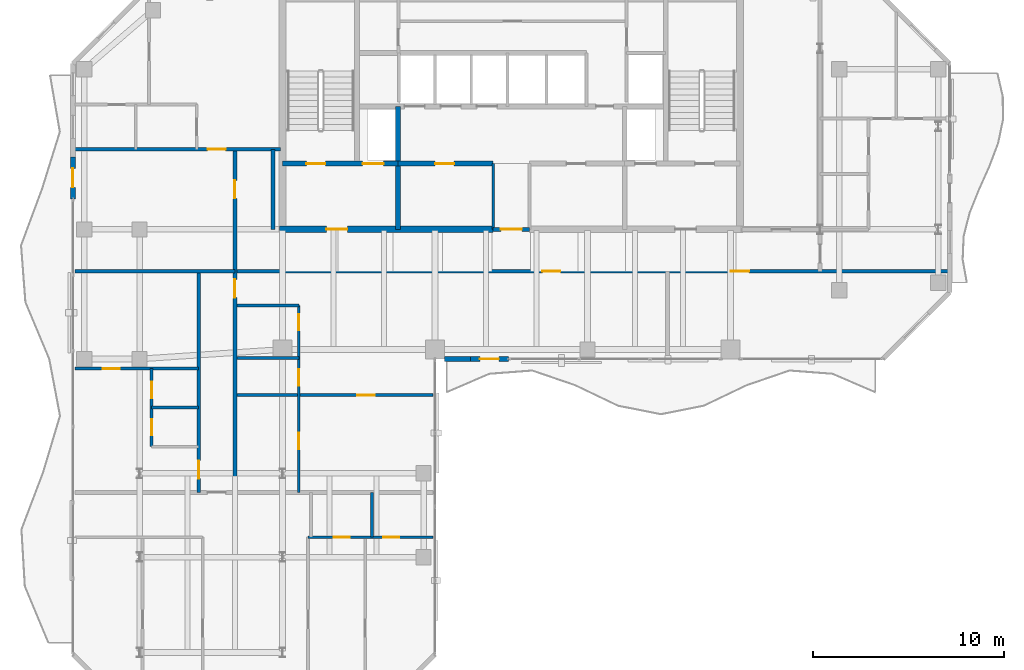
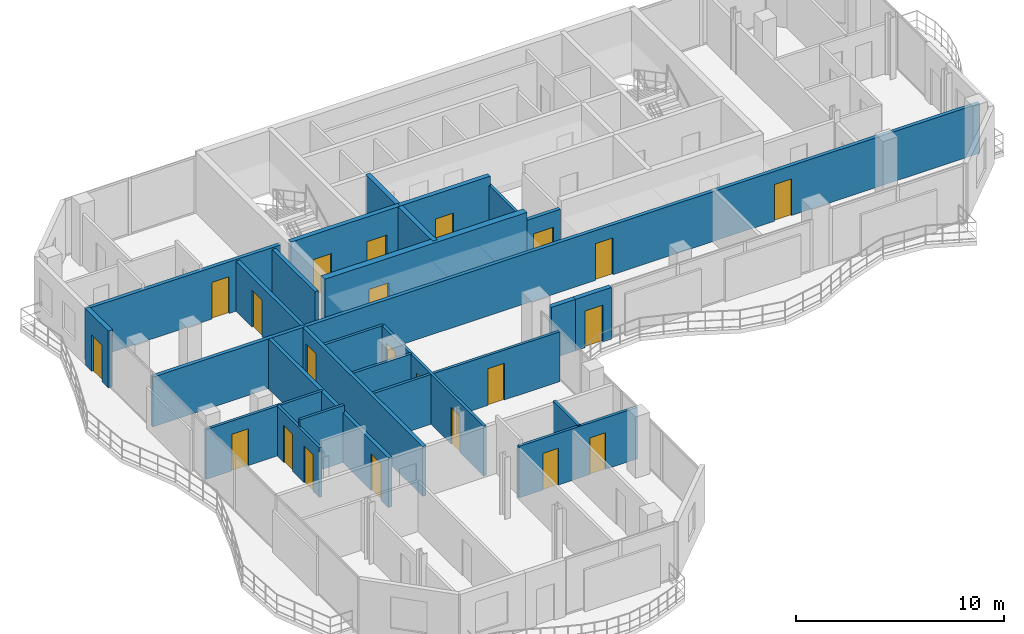
# One storey, part 18 of 23: 24 walls, 22 doors, 22 openings.
"""IFC4 building model written with IfcOpenShell, lengths in metres."""

from ifc_helpers import new_model, si_unit, direction, frame, frame_2d, origin, place, context, subcontext, project, spatial, rectangle, extrude, material, layer, layer_set, type_object, element, fill, save


model = new_model("IFC4")

# Units and contexts
model_context = context("Model", 3, precision=1e-05, world=origin(), true_north=direction((0.0, 1.0)))
body_context = subcontext(model_context, "Body", "Model", "MODEL_VIEW")
ifc_project = project(units=[si_unit("LENGTHUNIT", "METRE"), si_unit("AREAUNIT", "SQUARE_METRE"), si_unit("VOLUMEUNIT", "CUBIC_METRE"), si_unit("PLANEANGLEUNIT", "RADIAN"), si_unit("MASSUNIT", "GRAM", prefix="KILO")], contexts=[model_context])

# Site, building, storey
site_placement = place(None, origin())
site = spatial("IfcSite", under=ifc_project, at=site_placement, CompositionType="ELEMENT")
building_placement = place(site_placement, origin())
building = spatial("IfcBuilding", under=site, at=building_placement, Name="Catumbela Crestline Tower", CompositionType="ELEMENT")
storey_placement = place(building_placement, frame((0.0, 0.0, 172.2)))
storey = spatial("IfcBuildingStorey", under=building, at=storey_placement, Name="L44", CompositionType="ELEMENT", Elevation=172.2)

# Wall
ifc_material_1 = material(Name="Concrete C50/60", Category="concrete")
ifc_layer_1 = layer(ifc_material_1, 0.25, Name="Concrete C50/60")
ifc_layer_set_1 = layer_set([ifc_layer_1], Name="Concrete C50/60")
wall_type_1 = type_object("IfcWallType", Name="CW-250D", PredefinedType="SHEAR", material=ifc_layer_set_1)
wall_1_placement = place(storey_placement, frame((22.05, 30.8, 0.0), z_axis=(0.0, 0.0, 1.0), x_axis=(0.0, 1.0, 0.0)))
element("IfcWall", 1, at=wall_1_placement, inside=storey, type_object=wall_type_1, Name="L44 Structural Core Shear Wall FFW", PredefinedType="SHEAR", context=body_context, shape_type="SweptSolid", body=[
    extrude(rectangle(XDim=6.45, YDim=0.25, at=frame_2d((3.225, 0.0))), origin(), (0.0, 0.0, 1.0), 3.6),
])

# Wall, openings, doors
wall_2_placement = place(storey_placement, frame((16.0, 34.25, 0.0), z_axis=(0.0, 0.0, 1.0), x_axis=(1.0, 0.0, 0.0)))
wall_2 = element("IfcWall", 2, at=wall_2_placement, inside=storey, type_object=wall_type_1, Name="L44 Structural Core Shear Wall ST1S", PredefinedType="SHEAR", context=body_context, shape_type="SweptSolid", body=[
    extrude(rectangle(XDim=6.05, YDim=0.25, at=frame_2d((3.025, 0.0))), origin(), (0.0, 0.0, 1.0), 3.6),
])
opening_1_placement = place(wall_2_placement, frame((1.25, 0.0, 0.0)))
opening_1 = element("IfcOpeningElement", 3, at=opening_1_placement, cuts=wall_2, Name="Opening DF9-100", PredefinedType="OPENING", context=body_context, shape_type="SweptSolid", body=[
    extrude(rectangle(XDim=1.0, YDim=2.15, at=frame_2d((0.5, 1.075))), frame((0.0, 0.135, 0.0), z_axis=(0.0, -1.0, 0.0), x_axis=(1.0, 0.0, 0.0)), (0.0, 0.0, 1.0), 0.27),
])
opening_2_placement = place(wall_2_placement, frame((4.2, 0.0, 0.0)))
opening_2 = element("IfcOpeningElement", 4, at=opening_2_placement, cuts=wall_2, Name="Opening LD-110", PredefinedType="OPENING", context=body_context, shape_type="SweptSolid", body=[
    extrude(rectangle(XDim=1.1, YDim=2.15, at=frame_2d((0.55, 1.075))), frame((0.0, 0.135, 0.0), z_axis=(0.0, -1.0, 0.0), x_axis=(1.0, 0.0, 0.0)), (0.0, 0.0, 1.0), 0.27),
])
ifc_material_2 = material(Name="Stainless steel EN 1.4401", Category="steel")
door_type_1 = type_object("IfcDoorType", Name="DF9-100", OperationType="NOTDEFINED", PredefinedType="DOOR", material=ifc_material_2)
door_1_placement = place(opening_1_placement, origin())
door_1 = element("IfcDoor", 5, at=door_1_placement, inside=storey, type_object=door_type_1, Name="L44 Interior Door DR-L44-ST01", OperationType="SINGLE_SWING_LEFT", OverallHeight=2.15, OverallWidth=1.0, PredefinedType="DOOR", context=body_context, shape_type="SweptSolid", body=[
    extrude(rectangle(XDim=1.0, YDim=2.15, at=frame_2d((0.5, 1.075))), frame((0.0, 0.025, 0.0), z_axis=(0.0, -1.0, 0.0), x_axis=(1.0, 0.0, 0.0)), (0.0, 0.0, 1.0), 0.05),
])
fill(opening_1, door_1)
door_type_2 = type_object("IfcDoorType", Name="LD-110", OperationType="NOTDEFINED", PredefinedType="DOOR", material=ifc_material_2)
door_2_placement = place(opening_2_placement, origin())
door_2 = element("IfcDoor", 6, at=door_2_placement, inside=storey, type_object=door_type_2, Name="L44 Lift Landing Sliding Door FL-01", OperationType="DOUBLE_DOOR_SLIDING", OverallHeight=2.15, OverallWidth=1.1, PredefinedType="DOOR", context=body_context, shape_type="SweptSolid", body=[
    extrude(rectangle(XDim=1.1, YDim=2.15, at=frame_2d((0.55, 1.075))), frame((0.0, 0.025, 0.0), z_axis=(0.0, -1.0, 0.0), x_axis=(1.0, 0.0, 0.0)), (0.0, 0.0, 1.0), 0.05),
])
fill(opening_2, door_2)

# Wall, opening, door
wall_3_placement = place(storey_placement, frame((22.05, 34.25, 0.0), z_axis=(0.0, 0.0, 1.0), x_axis=(1.0, 0.0, 0.0)))
wall_3 = element("IfcWall", 7, at=wall_3_placement, inside=storey, type_object=wall_type_1, Name="L44 Structural Core Shear Wall LIFTS-W", PredefinedType="SHEAR", context=body_context, shape_type="SweptSolid", body=[
    extrude(rectangle(XDim=5.0, YDim=0.25, at=frame_2d((2.5, 0.0))), origin(), (0.0, 0.0, 1.0), 3.6),
])
opening_3_placement = place(wall_3_placement, frame((1.95, 0.0, 0.0)))
opening_3 = element("IfcOpeningElement", 8, at=opening_3_placement, cuts=wall_3, Name="Opening DF9-100", PredefinedType="OPENING", context=body_context, shape_type="SweptSolid", body=[
    extrude(rectangle(XDim=1.0, YDim=2.15, at=frame_2d((0.5, 1.075))), frame((0.0, 0.135, 0.0), z_axis=(0.0, -1.0, 0.0), x_axis=(1.0, 0.0, 0.0)), (0.0, 0.0, 1.0), 0.27),
])
door_3_placement = place(opening_3_placement, origin())
door_3 = element("IfcDoor", 9, at=door_3_placement, inside=storey, type_object=door_type_1, Name="L44 Interior Door DR-L44-RECL1", OperationType="SINGLE_SWING_LEFT", OverallHeight=2.15, OverallWidth=1.0, PredefinedType="DOOR", context=body_context, shape_type="SweptSolid", body=[
    extrude(rectangle(XDim=1.0, YDim=2.15, at=frame_2d((0.5, 1.075))), frame((0.0, 0.025, 0.0), z_axis=(0.0, -1.0, 0.0), x_axis=(1.0, 0.0, 0.0)), (0.0, 0.0, 1.0), 0.05),
])
fill(opening_3, door_3)

ifc_layer_2 = layer(ifc_material_1, 0.35, Name="Concrete C50/60")
ifc_layer_set_2 = layer_set([ifc_layer_2], Name="Concrete C50/60")
wall_type_2 = type_object("IfcWallType", Name="CW-350B", PredefinedType="SHEAR", material=ifc_layer_set_2)
wall_4_placement = place(storey_placement, frame((15.85, 30.8, 0.0), z_axis=(0.0, 0.0, 1.0), x_axis=(1.0, 0.0, 0.0)))
wall_4 = element("IfcWall", 10, at=wall_4_placement, inside=storey, type_object=wall_type_2, Name="L44 Structural Core Shear Wall SW", PredefinedType="SHEAR", context=body_context, shape_type="SweptSolid", body=[
    extrude(rectangle(XDim=11.2, YDim=0.35, at=frame_2d((5.6, 0.0))), origin(), (0.0, 0.0, 1.0), 3.6),
])
opening_4_placement = place(wall_4_placement, frame((2.45, 0.0, 0.0)))
opening_4 = element("IfcOpeningElement", 11, at=opening_4_placement, cuts=wall_4, Name="Opening DF9-110", PredefinedType="OPENING", context=body_context, shape_type="SweptSolid", body=[
    extrude(rectangle(XDim=1.1, YDim=2.15, at=frame_2d((0.55, 1.075))), frame((0.0, 0.185, 0.0), z_axis=(0.0, -1.0, 0.0), x_axis=(1.0, 0.0, 0.0)), (0.0, 0.0, 1.0), 0.37),
])
door_type_3 = type_object("IfcDoorType", Name="DF9-110", OperationType="NOTDEFINED", PredefinedType="DOOR", material=ifc_material_2)
door_4_placement = place(opening_4_placement, origin())
door_4 = element("IfcDoor", 12, at=door_4_placement, inside=storey, type_object=door_type_3, Name="L44 Interior Door DR-L44-FFW-S", OperationType="SINGLE_SWING_LEFT", OverallHeight=2.15, OverallWidth=1.1, PredefinedType="DOOR", context=body_context, shape_type="SweptSolid", body=[
    extrude(rectangle(XDim=1.1, YDim=2.15, at=frame_2d((0.55, 1.075))), frame((0.0, 0.025, 0.0), z_axis=(0.0, -1.0, 0.0), x_axis=(1.0, 0.0, 0.0)), (0.0, 0.0, 1.0), 0.05),
])
fill(opening_4, door_4)

ifc_material_3 = material(Name="Acoustic gypsum and mineral-wool partition")
ifc_layer_3 = layer(ifc_material_3, 0.2, Name="Acoustic gypsum and mineral-wool partition")
ifc_layer_set_3 = layer_set([ifc_layer_3], Name="Acoustic gypsum and mineral-wool partition")
wall_type_3 = type_object("IfcWallType", Name="WC-200", PredefinedType="PARTITIONING", material=ifc_layer_set_3)
wall_5_placement = place(storey_placement, frame((27.05, 30.8, 0.0), z_axis=(0.0, 0.0, 1.0), x_axis=(1.0, 0.0, 0.0)))
wall_5 = element("IfcWall", 13, at=wall_5_placement, inside=storey, type_object=wall_type_3, Name="L44 Interior Partition PW-L44-CLOBS", PredefinedType="PARTITIONING", context=body_context, shape_type="SweptSolid", body=[
    extrude(rectangle(XDim=1.9, YDim=0.2, at=frame_2d((0.95, 0.0))), origin(), (0.0, 0.0, 1.0), 3.07),
])
opening_5_placement = place(wall_5_placement, frame((0.4, 0.0, 0.0)))
opening_5 = element("IfcOpeningElement", 14, at=opening_5_placement, cuts=wall_5, Name="Opening DF9-110", PredefinedType="OPENING", context=body_context, shape_type="SweptSolid", body=[
    extrude(rectangle(XDim=1.1, YDim=2.15, at=frame_2d((0.55, 1.075))), frame((0.0, 0.11, 0.0), z_axis=(0.0, -1.0, 0.0), x_axis=(1.0, 0.0, 0.0)), (0.0, 0.0, 1.0), 0.22),
])
door_5_placement = place(opening_5_placement, origin())
door_5 = element("IfcDoor", 15, at=door_5_placement, inside=storey, type_object=door_type_3, Name="L44 Interior Door DR-L44-CLOBS", OperationType="SINGLE_SWING_LEFT", OverallHeight=2.15, OverallWidth=1.1, PredefinedType="DOOR", context=body_context, shape_type="SweptSolid", body=[
    extrude(rectangle(XDim=1.1, YDim=2.15, at=frame_2d((0.55, 1.075))), frame((0.0, 0.025, 0.0), z_axis=(0.0, -1.0, 0.0), x_axis=(1.0, 0.0, 0.0)), (0.0, 0.0, 1.0), 0.05),
])
fill(opening_5, door_5)

# Wall, openings, doors
wall_6_placement = place(storey_placement, frame((13.6, 28.6, 0.0), z_axis=(0.0, 0.0, 1.0), x_axis=(1.0, 0.0, 0.0)))
wall_6 = element("IfcWall", 16, at=wall_6_placement, inside=storey, type_object=wall_type_3, Name="L44 Interior Partition PW-L44-RCWR", PredefinedType="PARTITIONING", context=body_context, shape_type="SweptSolid", body=[
    extrude(rectangle(XDim=37.3, YDim=0.2, at=frame_2d((18.65, 0.0))), origin(), (0.0, 0.0, 1.0), 2.92),
])
opening_6_placement = place(wall_6_placement, frame((16.025, 0.0, 0.0)))
opening_6 = element("IfcOpeningElement", 17, at=opening_6_placement, cuts=wall_6, Name="Opening DF6-095", PredefinedType="OPENING", context=body_context, shape_type="SweptSolid", body=[
    extrude(rectangle(XDim=0.95, YDim=2.15, at=frame_2d((0.475, 1.075))), frame((0.0, 0.11, 0.0), z_axis=(0.0, -1.0, 0.0), x_axis=(1.0, 0.0, 0.0)), (0.0, 0.0, 1.0), 0.22),
])
opening_7_placement = place(wall_6_placement, frame((25.925, 0.0, 0.0)))
opening_7 = element("IfcOpeningElement", 18, at=opening_7_placement, cuts=wall_6, Name="Opening DF6-095", PredefinedType="OPENING", context=body_context, shape_type="SweptSolid", body=[
    extrude(rectangle(XDim=0.95, YDim=2.15, at=frame_2d((0.475, 1.075))), frame((0.0, 0.11, 0.0), z_axis=(0.0, -1.0, 0.0), x_axis=(1.0, 0.0, 0.0)), (0.0, 0.0, 1.0), 0.22),
])
ifc_material_4 = material(Name="Aluminium alloy AW-6060-T66", Category="aluminium")
door_type_4 = type_object("IfcDoorType", Name="DF6-095", OperationType="NOTDEFINED", PredefinedType="DOOR", material=ifc_material_4)
door_6_placement = place(opening_6_placement, origin())
door_6 = element("IfcDoor", 19, at=door_6_placement, inside=storey, type_object=door_type_4, Name="L44 Interior Door DR-L44-Z3G11-ENT", OperationType="SINGLE_SWING_LEFT", OverallHeight=2.15, OverallWidth=0.95, PredefinedType="DOOR", context=body_context, shape_type="SweptSolid", body=[
    extrude(rectangle(XDim=0.95, YDim=2.15, at=frame_2d((0.475, 1.075))), frame((0.0, 0.025, 0.0), z_axis=(0.0, -1.0, 0.0), x_axis=(1.0, 0.0, 0.0)), (0.0, 0.0, 1.0), 0.05),
])
fill(opening_6, door_6)
door_7_placement = place(opening_7_placement, origin())
door_7 = element("IfcDoor", 20, at=door_7_placement, inside=storey, type_object=door_type_4, Name="L44 Interior Door DR-L44-Z3G12-ENT", OperationType="SINGLE_SWING_RIGHT", OverallHeight=2.15, OverallWidth=0.95, PredefinedType="DOOR", context=body_context, shape_type="SweptSolid", body=[
    extrude(rectangle(XDim=0.95, YDim=2.15, at=frame_2d((0.475, 1.075))), frame((0.0, 0.025, 0.0), z_axis=(0.0, -1.0, 0.0), x_axis=(1.0, 0.0, 0.0)), (0.0, 0.0, 1.0), 0.05),
])
fill(opening_7, door_7)

# Wall
wall_7_placement = place(storey_placement, frame((15.5, 30.8, 0.0), z_axis=(0.0, 0.0, 1.0), x_axis=(0.0, 1.0, 0.0)))
element("IfcWall", 21, at=wall_7_placement, inside=storey, type_object=wall_type_3, Name="L44 Interior Partition PW-L44-NWFYE", PredefinedType="PARTITIONING", context=body_context, shape_type="SweptSolid", body=[
    extrude(rectangle(XDim=4.2, YDim=0.2, at=frame_2d((2.1, 0.0))), origin(), (0.0, 0.0, 1.0), 2.92),
])

# Wall, openings, doors
wall_8_placement = place(storey_placement, frame((13.5, 17.0, 0.0), z_axis=(0.0, 0.0, 1.0), x_axis=(0.0, 1.0, 0.0)))
wall_8 = element("IfcWall", 22, at=wall_8_placement, inside=storey, type_object=wall_type_3, Name="L44 Interior Partition PW-L44-NWAM-ENT", PredefinedType="PARTITIONING", context=body_context, shape_type="SweptSolid", body=[
    extrude(rectangle(XDim=18.0, YDim=0.2, at=frame_2d((9.0, 0.0))), origin(), (0.0, 0.0, 1.0), 2.92),
])
opening_8_placement = place(wall_8_placement, frame((15.425, 0.0, 0.0)))
opening_8 = element("IfcOpeningElement", 23, at=opening_8_placement, cuts=wall_8, Name="Opening DF6-095", PredefinedType="OPENING", context=body_context, shape_type="SweptSolid", body=[
    extrude(rectangle(XDim=0.95, YDim=2.15, at=frame_2d((0.475, 1.075))), frame((0.0, 0.11, 0.0), z_axis=(0.0, -1.0, 0.0), x_axis=(1.0, 0.0, 0.0)), (0.0, 0.0, 1.0), 0.22),
])
opening_9_placement = place(wall_8_placement, frame((10.225, 0.0, 0.0)))
opening_9 = element("IfcOpeningElement", 24, at=opening_9_placement, cuts=wall_8, Name="Opening DF6-095", PredefinedType="OPENING", context=body_context, shape_type="SweptSolid", body=[
    extrude(rectangle(XDim=0.95, YDim=2.15, at=frame_2d((0.475, 1.075))), frame((0.0, 0.11, 0.0), z_axis=(0.0, -1.0, 0.0), x_axis=(1.0, 0.0, 0.0)), (0.0, 0.0, 1.0), 0.22),
])
door_8_placement = place(opening_8_placement, origin())
door_8 = element("IfcDoor", 25, at=door_8_placement, inside=storey, type_object=door_type_4, Name="L44 Interior Door DR-L44-NWAM-ENT", OperationType="SINGLE_SWING_RIGHT", OverallHeight=2.15, OverallWidth=0.95, PredefinedType="DOOR", context=body_context, shape_type="SweptSolid", body=[
    extrude(rectangle(XDim=0.95, YDim=2.15, at=frame_2d((0.475, 1.075))), frame((0.0, 0.025, 0.0), z_axis=(0.0, -1.0, 0.0), x_axis=(1.0, 0.0, 0.0)), (0.0, 0.0, 1.0), 0.05),
])
fill(opening_8, door_8)
door_9_placement = place(opening_9_placement, origin())
door_9 = element("IfcDoor", 26, at=door_9_placement, inside=storey, type_object=door_type_4, Name="L44 Interior Door DR-L44-WR1-ENT", OperationType="SINGLE_SWING_LEFT", OverallHeight=2.15, OverallWidth=0.95, PredefinedType="DOOR", context=body_context, shape_type="SweptSolid", body=[
    extrude(rectangle(XDim=0.95, YDim=2.15, at=frame_2d((0.475, 1.075))), frame((0.0, 0.025, 0.0), z_axis=(0.0, -1.0, 0.0), x_axis=(1.0, 0.0, 0.0)), (0.0, 0.0, 1.0), 0.05),
])
fill(opening_9, door_9)

# Wall, opening, door
wall_9_placement = place(storey_placement, frame((5.1, 35.0, 0.0), z_axis=(0.0, 0.0, 1.0), x_axis=(1.0, 0.0, 0.0)))
wall_9 = element("IfcWall", 27, at=wall_9_placement, inside=storey, type_object=wall_type_3, Name="L44 Interior Partition PW-L44-NW1-ENT", PredefinedType="PARTITIONING", context=body_context, shape_type="SweptSolid", body=[
    extrude(rectangle(XDim=10.8, YDim=0.2, at=frame_2d((5.4, 0.0))), origin(), (0.0, 0.0, 1.0), 3.02),
])
opening_10_placement = place(wall_9_placement, frame((6.9644, 0.0, 0.0)))
opening_10 = element("IfcOpeningElement", 28, at=opening_10_placement, cuts=wall_9, Name="Opening DF6-095", PredefinedType="OPENING", context=body_context, shape_type="SweptSolid", body=[
    extrude(rectangle(XDim=0.95, YDim=2.15, at=frame_2d((0.475, 1.075))), frame((0.0, 0.11, 0.0), z_axis=(0.0, -1.0, 0.0), x_axis=(1.0, 0.0, 0.0)), (0.0, 0.0, 1.0), 0.22),
])
door_10_placement = place(opening_10_placement, origin())
door_10 = element("IfcDoor", 29, at=door_10_placement, inside=storey, type_object=door_type_4, Name="L44 Interior Door DR-L44-NW1-ENT", OperationType="SINGLE_SWING_LEFT", OverallHeight=2.15, OverallWidth=0.95, PredefinedType="DOOR", context=body_context, shape_type="SweptSolid", body=[
    extrude(rectangle(XDim=0.95, YDim=2.15, at=frame_2d((0.475, 1.075))), frame((0.0, 0.025, 0.0), z_axis=(0.0, -1.0, 0.0), x_axis=(1.0, 0.0, 0.0)), (0.0, 0.0, 1.0), 0.05),
])
fill(opening_10, door_10)

wall_10_placement = place(storey_placement, frame((11.6, 17.0, 0.0), z_axis=(0.0, 0.0, 1.0), x_axis=(0.0, 1.0, 0.0)))
wall_10 = element("IfcWall", 30, at=wall_10_placement, inside=storey, type_object=wall_type_3, Name="L44 Interior Partition PW-L44-WL1-ENT", PredefinedType="PARTITIONING", context=body_context, shape_type="SweptSolid", body=[
    extrude(rectangle(XDim=11.6, YDim=0.2, at=frame_2d((5.8, 0.0))), origin(), (0.0, 0.0, 1.0), 2.92),
])
opening_11_placement = place(wall_10_placement, frame((0.723, 0.0, 0.0)))
opening_11 = element("IfcOpeningElement", 31, at=opening_11_placement, cuts=wall_10, Name="Opening DF6-095", PredefinedType="OPENING", context=body_context, shape_type="SweptSolid", body=[
    extrude(rectangle(XDim=0.95, YDim=2.15, at=frame_2d((0.475, 1.075))), frame((0.0, 0.11, 0.0), z_axis=(0.0, -1.0, 0.0), x_axis=(1.0, 0.0, 0.0)), (0.0, 0.0, 1.0), 0.22),
])
door_11_placement = place(opening_11_placement, origin())
door_11 = element("IfcDoor", 32, at=door_11_placement, inside=storey, type_object=door_type_4, Name="L44 Interior Door DR-L44-WL1-ENT", OperationType="SINGLE_SWING_LEFT", OverallHeight=2.15, OverallWidth=0.95, PredefinedType="DOOR", context=body_context, shape_type="SweptSolid", body=[
    extrude(rectangle(XDim=0.95, YDim=2.15, at=frame_2d((0.475, 1.075))), frame((0.0, 0.025, 0.0), z_axis=(0.0, -1.0, 0.0), x_axis=(1.0, 0.0, 0.0)), (0.0, 0.0, 1.0), 0.05),
])
fill(opening_11, door_11)

ifc_material_5 = material(Name="Angolan grey-ochre granite", Category="masonry")
ifc_layer_4 = layer(ifc_material_5, 0.25, Name="Angolan grey-ochre granite")
ifc_layer_set_4 = layer_set([ifc_layer_4], Name="Angolan grey-ochre granite")
wall_type_4 = type_object("IfcWallType", Name="WE-250", PredefinedType="STANDARD", material=ifc_layer_set_4)
wall_11_placement = place(storey_placement, frame((25.85, 24.0, 0.0), z_axis=(0.0, 0.0, 1.0), x_axis=(1.0, 0.0, 0.0)))
wall_11 = element("IfcWall", 33, at=wall_11_placement, inside=storey, type_object=wall_type_4, Name="L44 Exterior Threshold Portal Wall DR-L44-WBAL-1", PredefinedType="STANDARD", context=body_context, shape_type="SweptSolid", body=[
    extrude(rectangle(XDim=2.0, YDim=0.25, at=frame_2d((1.0, 0.0))), origin(), (0.0, 0.0, 1.0), 3.02),
])
opening_12_placement = place(wall_11_placement, frame((0.5, 0.0, 0.0)))
opening_12 = element("IfcOpeningElement", 34, at=opening_12_placement, cuts=wall_11, Name="Opening DB-L44-1", PredefinedType="OPENING", context=body_context, shape_type="SweptSolid", body=[
    extrude(rectangle(XDim=1.0, YDim=2.15, at=frame_2d((0.5, 1.075))), frame((0.0, 0.135, 0.0), z_axis=(0.0, -1.0, 0.0), x_axis=(1.0, 0.0, 0.0)), (0.0, 0.0, 1.0), 0.27),
])
door_type_5 = type_object("IfcDoorType", Name="DB-1000", OperationType="NOTDEFINED", PredefinedType="DOOR", material=ifc_material_4)
door_12_placement = place(opening_12_placement, origin())
door_12 = element("IfcDoor", 35, at=door_12_placement, inside=storey, type_object=door_type_5, Name="L44 Wave Balcony Terrace Door 1", OperationType="SINGLE_SWING_RIGHT", OverallHeight=2.15, OverallWidth=1.0, PredefinedType="DOOR", context=body_context, shape_type="SweptSolid", body=[
    extrude(rectangle(XDim=1.0, YDim=2.15, at=frame_2d((0.5, 1.075))), frame((0.0, 0.025, 0.0), z_axis=(0.0, -1.0, 0.0), x_axis=(1.0, 0.0, 0.0)), (0.0, 0.0, 1.0), 0.05),
])
fill(opening_12, door_12)

# Wall
wall_12_placement = place(storey_placement, frame((24.5, 24.0, 0.0), z_axis=(0.0, 0.0, 1.0), x_axis=(1.0, 0.0, 0.0)))
element("IfcWall", 36, at=wall_12_placement, inside=storey, type_object=wall_type_4, Name="L44 Granite Punched Window Wall 3-1", PredefinedType="STANDARD", context=body_context, shape_type="SweptSolid", body=[
    extrude(rectangle(XDim=1.35, YDim=0.25, at=frame_2d((0.675, 0.0))), origin(), (0.0, 0.0, 1.0), 3.02),
])

# Wall, opening, door
wall_13_placement = place(storey_placement, frame((5.0, 34.6, 0.0), z_axis=(0.0, 0.0, 1.0), x_axis=(0.0, -1.0, 0.0)))
wall_13 = element("IfcWall", 37, at=wall_13_placement, inside=storey, type_object=wall_type_4, Name="L44 Exterior Threshold Portal Wall DR-L44-WBAL-4", PredefinedType="STANDARD", context=body_context, shape_type="SweptSolid", body=[
    extrude(rectangle(XDim=2.2, YDim=0.25, at=frame_2d((1.1, 0.0))), origin(), (0.0, 0.0, 1.0), 3.33),
])
opening_13_placement = place(wall_13_placement, frame((0.6, 0.0, 0.0)))
opening_13 = element("IfcOpeningElement", 38, at=opening_13_placement, cuts=wall_13, Name="Opening DB-L44-4", PredefinedType="OPENING", context=body_context, shape_type="SweptSolid", body=[
    extrude(rectangle(XDim=1.0, YDim=2.15, at=frame_2d((0.5, 1.075))), frame((0.0, 0.135, 0.0), z_axis=(0.0, -1.0, 0.0), x_axis=(1.0, 0.0, 0.0)), (0.0, 0.0, 1.0), 0.27),
])
door_13_placement = place(opening_13_placement, origin())
door_13 = element("IfcDoor", 39, at=door_13_placement, inside=storey, type_object=door_type_5, Name="L44 Wave Balcony Terrace Door 4", OperationType="SINGLE_SWING_LEFT", OverallHeight=2.15, OverallWidth=1.0, PredefinedType="DOOR", context=body_context, shape_type="SweptSolid", body=[
    extrude(rectangle(XDim=1.0, YDim=2.15, at=frame_2d((0.5, 1.075))), frame((0.0, 0.025, 0.0), z_axis=(0.0, -1.0, 0.0), x_axis=(1.0, 0.0, 0.0)), (0.0, 0.0, 1.0), 0.05),
])
fill(opening_13, door_13)

# Wall
ifc_layer_5 = layer(ifc_material_3, 0.15, Name="Acoustic gypsum and mineral-wool partition")
ifc_layer_set_5 = layer_set([ifc_layer_5], Name="Acoustic gypsum and mineral-wool partition")
wall_type_5 = type_object("IfcWallType", Name="WP-150", PredefinedType="PARTITIONING", material=ifc_layer_set_5)
wall_14_placement = place(storey_placement, frame((9.13, 21.446, 0.0), z_axis=(0.0, 0.0, 1.0), x_axis=(1.0, 0.0, 0.0)))
element("IfcWall", 40, at=wall_14_placement, inside=storey, type_object=wall_type_5, Name="L44 Interior Partition PW-L44-WL1-KBM", PredefinedType="PARTITIONING", context=body_context, shape_type="SweptSolid", body=[
    extrude(rectangle(XDim=2.47, YDim=0.15, at=frame_2d((1.235, 0.0))), origin(), (0.0, 0.0, 1.0), 3.33),
])

# Wall, opening, door
wall_15_placement = place(storey_placement, frame((5.1, 23.496, 0.0), z_axis=(0.0, 0.0, 1.0), x_axis=(1.0, 0.0, 0.0)))
wall_15 = element("IfcWall", 41, at=wall_15_placement, inside=storey, type_object=wall_type_5, Name="L44 Interior Partition PW-L44-WL1-KBN", PredefinedType="PARTITIONING", context=body_context, shape_type="SweptSolid", body=[
    extrude(rectangle(XDim=6.5, YDim=0.15, at=frame_2d((3.25, 0.0))), origin(), (0.0, 0.0, 1.0), 2.92),
])
opening_14_placement = place(wall_15_placement, frame((1.4533, 0.0, 0.0)))
opening_14 = element("IfcOpeningElement", 42, at=opening_14_placement, cuts=wall_15, Name="Opening DI-090", PredefinedType="OPENING", context=body_context, shape_type="SweptSolid", body=[
    extrude(rectangle(XDim=0.9, YDim=2.15, at=frame_2d((0.45, 1.075))), frame((0.0, 0.085, 0.0), z_axis=(0.0, -1.0, 0.0), x_axis=(1.0, 0.0, 0.0)), (0.0, 0.0, 1.0), 0.17),
])
door_type_6 = type_object("IfcDoorType", Name="DI-090", OperationType="NOTDEFINED", PredefinedType="DOOR", material=ifc_material_4)
door_14_placement = place(opening_14_placement, origin())
door_14 = element("IfcDoor", 43, at=door_14_placement, inside=storey, type_object=door_type_6, Name="L44 Interior Door DR-L44-WL1-BD1", OperationType="SINGLE_SWING_RIGHT", OverallHeight=2.15, OverallWidth=0.9, PredefinedType="DOOR", context=body_context, shape_type="SweptSolid", body=[
    extrude(rectangle(XDim=0.9, YDim=2.15, at=frame_2d((0.45, 1.075))), frame((0.0, 0.025, 0.0), z_axis=(0.0, -1.0, 0.0), x_axis=(1.0, 0.0, 0.0)), (0.0, 0.0, 1.0), 0.05),
])
fill(opening_14, door_14)

# Wall, openings, doors
wall_16_placement = place(storey_placement, frame((9.13, 19.396, 0.0), z_axis=(0.0, 0.0, 1.0), x_axis=(0.0, 1.0, 0.0)))
wall_16 = element("IfcWall", 44, at=wall_16_placement, inside=storey, type_object=wall_type_5, Name="L44 Interior Partition PW-L44-WL1-LK", PredefinedType="PARTITIONING", context=body_context, shape_type="SweptSolid", body=[
    extrude(rectangle(XDim=4.1, YDim=0.15, at=frame_2d((2.05, 0.0))), origin(), (0.0, 0.0, 1.0), 2.92),
])
opening_15_placement = place(wall_16_placement, frame((0.6, 0.0, 0.0)))
opening_15 = element("IfcOpeningElement", 45, at=opening_15_placement, cuts=wall_16, Name="Opening DI-085", PredefinedType="OPENING", context=body_context, shape_type="SweptSolid", body=[
    extrude(rectangle(XDim=0.85, YDim=2.15, at=frame_2d((0.425, 1.075))), frame((0.0, 0.085, 0.0), z_axis=(0.0, -1.0, 0.0), x_axis=(1.0, 0.0, 0.0)), (0.0, 0.0, 1.0), 0.17),
])
opening_16_placement = place(wall_16_placement, frame((2.5529, 0.0, 0.0)))
opening_16 = element("IfcOpeningElement", 46, at=opening_16_placement, cuts=wall_16, Name="Opening DI-085", PredefinedType="OPENING", context=body_context, shape_type="SweptSolid", body=[
    extrude(rectangle(XDim=0.85, YDim=2.15, at=frame_2d((0.425, 1.075))), frame((0.0, 0.085, 0.0), z_axis=(0.0, -1.0, 0.0), x_axis=(1.0, 0.0, 0.0)), (0.0, 0.0, 1.0), 0.17),
])
door_type_7 = type_object("IfcDoorType", Name="DI-085", OperationType="NOTDEFINED", PredefinedType="DOOR", material=ifc_material_4)
door_15_placement = place(opening_15_placement, origin())
door_15 = element("IfcDoor", 47, at=door_15_placement, inside=storey, type_object=door_type_7, Name="L44 Interior Door DR-L44-WL1-KIT", OperationType="SINGLE_SWING_LEFT", OverallHeight=2.15, OverallWidth=0.85, PredefinedType="DOOR", context=body_context, shape_type="SweptSolid", body=[
    extrude(rectangle(XDim=0.85, YDim=2.15, at=frame_2d((0.425, 1.075))), frame((0.0, 0.025, 0.0), z_axis=(0.0, -1.0, 0.0), x_axis=(1.0, 0.0, 0.0)), (0.0, 0.0, 1.0), 0.05),
])
fill(opening_15, door_15)
door_16_placement = place(opening_16_placement, origin())
door_16 = element("IfcDoor", 48, at=door_16_placement, inside=storey, type_object=door_type_7, Name="L44 Interior Door DR-L44-WL1-BTH", OperationType="SINGLE_SWING_LEFT", OverallHeight=2.15, OverallWidth=0.85, PredefinedType="DOOR", context=body_context, shape_type="SweptSolid", body=[
    extrude(rectangle(XDim=0.85, YDim=2.15, at=frame_2d((0.425, 1.075))), frame((0.0, 0.025, 0.0), z_axis=(0.0, -1.0, 0.0), x_axis=(1.0, 0.0, 0.0)), (0.0, 0.0, 1.0), 0.05),
])
fill(opening_16, door_16)

# Wall, opening, door
wall_17_placement = place(storey_placement, frame((13.6, 22.104, 0.0), z_axis=(0.0, 0.0, 1.0), x_axis=(1.0, 0.0, 0.0)))
wall_17 = element("IfcWall", 49, at=wall_17_placement, inside=storey, type_object=wall_type_5, Name="L44 Interior Partition PW-L44-WR1-KBS", PredefinedType="PARTITIONING", context=body_context, shape_type="SweptSolid", body=[
    extrude(rectangle(XDim=10.3, YDim=0.15, at=frame_2d((5.15, 0.0))), origin(), (0.0, 0.0, 1.0), 2.92),
])
opening_17_placement = place(wall_17_placement, frame((6.325, 0.0, 0.0)))
opening_17 = element("IfcOpeningElement", 50, at=opening_17_placement, cuts=wall_17, Name="Opening DI-090", PredefinedType="OPENING", context=body_context, shape_type="SweptSolid", body=[
    extrude(rectangle(XDim=0.9, YDim=2.15, at=frame_2d((0.45, 1.075))), frame((0.0, 0.085, 0.0), z_axis=(0.0, -1.0, 0.0), x_axis=(1.0, 0.0, 0.0)), (0.0, 0.0, 1.0), 0.17),
])
door_17_placement = place(opening_17_placement, origin())
door_17 = element("IfcDoor", 51, at=door_17_placement, inside=storey, type_object=door_type_6, Name="L44 Interior Door DR-L44-WR1-BD1", OperationType="SINGLE_SWING_LEFT", OverallHeight=2.15, OverallWidth=0.9, PredefinedType="DOOR", context=body_context, shape_type="SweptSolid", body=[
    extrude(rectangle(XDim=0.9, YDim=2.15, at=frame_2d((0.45, 1.075))), frame((0.0, 0.025, 0.0), z_axis=(0.0, -1.0, 0.0), x_axis=(1.0, 0.0, 0.0)), (0.0, 0.0, 1.0), 0.05),
])
fill(opening_17, door_17)

# Walls
for number, where, z_axis, x_axis, name in (
    (52, (13.6, 24.054, 0.0), (0.0, 0.0, 1.0), (1.0, 0.0, 0.0), "L44 Interior Partition PW-L44-WR1-KBM"),
    (53, (13.6, 26.8, 0.0), (0.0, 0.0, 1.0), (1.0, 0.0, 0.0), "L44 Interior Partition PW-L44-WR1-KBN"),
):
    element("IfcWall", number, at=place(storey_placement, frame(where, z_axis=z_axis, x_axis=x_axis)), inside=storey, type_object=wall_type_5, Name=name, PredefinedType="PARTITIONING", context=body_context, shape_type="SweptSolid", body=[
        extrude(rectangle(XDim=3.25, YDim=0.15, at=frame_2d((1.625, 0.0))), origin(), (0.0, 0.0, 1.0), 2.92),
    ])

# Wall, openings, doors
wall_18_placement = place(storey_placement, frame((16.85, 17.0, 0.0), z_axis=(0.0, 0.0, 1.0), x_axis=(0.0, 1.0, 0.0)))
wall_18 = element("IfcWall", 54, at=wall_18_placement, inside=storey, type_object=wall_type_5, Name="L44 Interior Partition PW-L44-WR1-LB", PredefinedType="PARTITIONING", context=body_context, shape_type="SweptSolid", body=[
    extrude(rectangle(XDim=9.8, YDim=0.15, at=frame_2d((4.9, 0.0))), origin(), (0.0, 0.0, 1.0), 2.92),
])
opening_18_placement = place(wall_18_placement, frame((5.5983, 0.0, 0.0)))
opening_18 = element("IfcOpeningElement", 55, at=opening_18_placement, cuts=wall_18, Name="Opening DI-085", PredefinedType="OPENING", context=body_context, shape_type="SweptSolid", body=[
    extrude(rectangle(XDim=0.85, YDim=2.15, at=frame_2d((0.425, 1.075))), frame((0.0, 0.085, 0.0), z_axis=(0.0, -1.0, 0.0), x_axis=(1.0, 0.0, 0.0)), (0.0, 0.0, 1.0), 0.17),
])
opening_19_placement = place(wall_18_placement, frame((8.4963, 0.0, 0.0)))
opening_19 = element("IfcOpeningElement", 56, at=opening_19_placement, cuts=wall_18, Name="Opening DI-085", PredefinedType="OPENING", context=body_context, shape_type="SweptSolid", body=[
    extrude(rectangle(XDim=0.85, YDim=2.15, at=frame_2d((0.425, 1.075))), frame((0.0, 0.085, 0.0), z_axis=(0.0, -1.0, 0.0), x_axis=(1.0, 0.0, 0.0)), (0.0, 0.0, 1.0), 0.17),
])
opening_20_placement = place(wall_18_placement, frame((2.2684, 0.0, 0.0)))
opening_20 = element("IfcOpeningElement", 57, at=opening_20_placement, cuts=wall_18, Name="Opening DI-085", PredefinedType="OPENING", context=body_context, shape_type="SweptSolid", body=[
    extrude(rectangle(XDim=0.85, YDim=2.15, at=frame_2d((0.425, 1.075))), frame((0.0, 0.085, 0.0), z_axis=(0.0, -1.0, 0.0), x_axis=(1.0, 0.0, 0.0)), (0.0, 0.0, 1.0), 0.17),
])
door_18_placement = place(opening_18_placement, origin())
door_18 = element("IfcDoor", 58, at=door_18_placement, inside=storey, type_object=door_type_7, Name="L44 Interior Door DR-L44-WR1-BTH", OperationType="SINGLE_SWING_LEFT", OverallHeight=2.15, OverallWidth=0.85, PredefinedType="DOOR", context=body_context, shape_type="SweptSolid", body=[
    extrude(rectangle(XDim=0.85, YDim=2.15, at=frame_2d((0.425, 1.075))), frame((0.0, 0.025, 0.0), z_axis=(0.0, -1.0, 0.0), x_axis=(1.0, 0.0, 0.0)), (0.0, 0.0, 1.0), 0.05),
])
fill(opening_18, door_18)
door_19_placement = place(opening_19_placement, origin())
door_19 = element("IfcDoor", 59, at=door_19_placement, inside=storey, type_object=door_type_7, Name="L44 Interior Door DR-L44-WR1-KIT", OperationType="SINGLE_SWING_RIGHT", OverallHeight=2.15, OverallWidth=0.85, PredefinedType="DOOR", context=body_context, shape_type="SweptSolid", body=[
    extrude(rectangle(XDim=0.85, YDim=2.15, at=frame_2d((0.425, 1.075))), frame((0.0, 0.025, 0.0), z_axis=(0.0, -1.0, 0.0), x_axis=(1.0, 0.0, 0.0)), (0.0, 0.0, 1.0), 0.05),
])
fill(opening_19, door_19)
door_20_placement = place(opening_20_placement, origin())
door_20 = element("IfcDoor", 60, at=door_20_placement, inside=storey, type_object=door_type_7, Name="L44 Interior Door DR-L44-WR1-WIR", OperationType="SINGLE_SWING_LEFT", OverallHeight=2.15, OverallWidth=0.85, PredefinedType="DOOR", context=body_context, shape_type="SweptSolid", body=[
    extrude(rectangle(XDim=0.85, YDim=2.15, at=frame_2d((0.425, 1.075))), frame((0.0, 0.025, 0.0), z_axis=(0.0, -1.0, 0.0), x_axis=(1.0, 0.0, 0.0)), (0.0, 0.0, 1.0), 0.05),
])
fill(opening_20, door_20)

# Wall
wall_19_placement = place(storey_placement, frame((20.7, 14.65, 0.0), z_axis=(0.0, 0.0, 1.0), x_axis=(0.0, 1.0, 0.0)))
element("IfcWall", 61, at=wall_19_placement, inside=storey, type_object=wall_type_5, Name="L44 Interior Partition PW-L44-SH1-KBM", PredefinedType="PARTITIONING", context=body_context, shape_type="SweptSolid", body=[
    extrude(rectangle(XDim=2.35, YDim=0.15, at=frame_2d((1.175, 0.0))), origin(), (0.0, 0.0, 1.0), 3.07),
])

# Wall, openings, doors
wall_20_placement = place(storey_placement, frame((17.34, 14.65, 0.0), z_axis=(0.0, 0.0, 1.0), x_axis=(1.0, 0.0, 0.0)))
wall_20 = element("IfcWall", 62, at=wall_20_placement, inside=storey, type_object=wall_type_5, Name="L44 Interior Partition PW-L44-SH1-KBD1", PredefinedType="PARTITIONING", context=body_context, shape_type="SweptSolid", body=[
    extrude(rectangle(XDim=6.56, YDim=0.15, at=frame_2d((3.28, 0.0))), origin(), (0.0, 0.0, 1.0), 3.02),
])
opening_21_placement = place(wall_20_placement, frame((1.335, 0.0, 0.0)))
opening_21 = element("IfcOpeningElement", 63, at=opening_21_placement, cuts=wall_20, Name="Opening DI-085", PredefinedType="OPENING", context=body_context, shape_type="SweptSolid", body=[
    extrude(rectangle(XDim=0.85, YDim=2.15, at=frame_2d((0.425, 1.075))), frame((0.0, 0.085, 0.0), z_axis=(0.0, -1.0, 0.0), x_axis=(1.0, 0.0, 0.0)), (0.0, 0.0, 1.0), 0.17),
])
opening_22_placement = place(wall_20_placement, frame((3.9305, 0.0, 0.0)))
opening_22 = element("IfcOpeningElement", 64, at=opening_22_placement, cuts=wall_20, Name="Opening DI-085", PredefinedType="OPENING", context=body_context, shape_type="SweptSolid", body=[
    extrude(rectangle(XDim=0.85, YDim=2.15, at=frame_2d((0.425, 1.075))), frame((0.0, 0.085, 0.0), z_axis=(0.0, -1.0, 0.0), x_axis=(1.0, 0.0, 0.0)), (0.0, 0.0, 1.0), 0.17),
])
door_21_placement = place(opening_21_placement, origin())
door_21 = element("IfcDoor", 65, at=door_21_placement, inside=storey, type_object=door_type_7, Name="L44 Interior Door DR-L44-SH1-BTH", OperationType="SINGLE_SWING_LEFT", OverallHeight=2.15, OverallWidth=0.85, PredefinedType="DOOR", context=body_context, shape_type="SweptSolid", body=[
    extrude(rectangle(XDim=0.85, YDim=2.15, at=frame_2d((0.425, 1.075))), frame((0.0, 0.025, 0.0), z_axis=(0.0, -1.0, 0.0), x_axis=(1.0, 0.0, 0.0)), (0.0, 0.0, 1.0), 0.05),
])
fill(opening_21, door_21)
door_22_placement = place(opening_22_placement, origin())
door_22 = element("IfcDoor", 66, at=door_22_placement, inside=storey, type_object=door_type_7, Name="L44 Interior Door DR-L44-SH1-KIT", OperationType="SINGLE_SWING_RIGHT", OverallHeight=2.15, OverallWidth=0.85, PredefinedType="DOOR", context=body_context, shape_type="SweptSolid", body=[
    extrude(rectangle(XDim=0.85, YDim=2.15, at=frame_2d((0.425, 1.075))), frame((0.0, 0.025, 0.0), z_axis=(0.0, -1.0, 0.0), x_axis=(1.0, 0.0, 0.0)), (0.0, 0.0, 1.0), 0.05),
])
fill(opening_22, door_22)

# Walls
ifc_layer_6 = layer(ifc_material_3, 0.2, Name="Acoustic gypsum and mineral-wool partition")
ifc_layer_set_6 = layer_set([ifc_layer_6], Name="Acoustic gypsum and mineral-wool partition")
wall_type_6 = type_object("IfcWallType", Name="WY-200", PredefinedType="PARTITIONING", material=ifc_layer_set_6)
wall_21_placement = place(storey_placement, frame((5.1, 28.6, 0.0), z_axis=(0.0, 0.0, 1.0), x_axis=(1.0, 0.0, 0.0)))
element("IfcWall", 67, at=wall_21_placement, inside=storey, type_object=wall_type_6, Name="L44 Interior Partition PW-L44-RCWNW", PredefinedType="PARTITIONING", context=body_context, shape_type="SweptSolid", body=[
    extrude(rectangle(XDim=8.4, YDim=0.2, at=frame_2d((4.2, 0.0))), origin(), (0.0, 0.0, 1.0), 2.92),
])
ifc_layer_7 = layer(ifc_material_3, 0.15, Name="Acoustic gypsum and mineral-wool partition")
ifc_layer_set_7 = layer_set([ifc_layer_7], Name="Acoustic gypsum and mineral-wool partition")
wall_type_7 = type_object("IfcWallType", Name="WS-150", PredefinedType="PLUMBINGWALL", material=ifc_layer_set_7)
wall_22_placement = place(storey_placement, frame((27.05, 30.8, 0.0), z_axis=(0.0, 0.0, 1.0), x_axis=(0.0, 1.0, 0.0)))
element("IfcWall", 68, at=wall_22_placement, inside=storey, type_object=wall_type_7, Name="L44 Interior Partition PW-L44-THRW", PredefinedType="PLUMBINGWALL", context=body_context, shape_type="SweptSolid", body=[
    extrude(rectangle(XDim=3.45, YDim=0.15, at=frame_2d((1.725, 0.0))), origin(), (0.0, 0.0, 1.0), 3.07),
])

save(model, "model.ifc")
